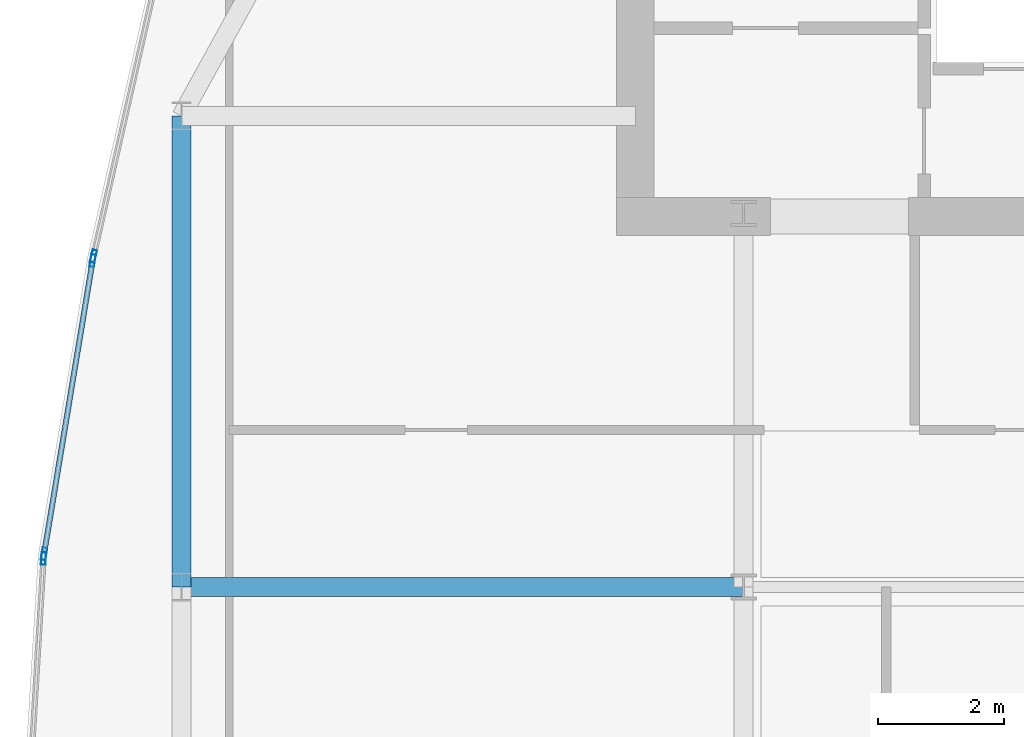
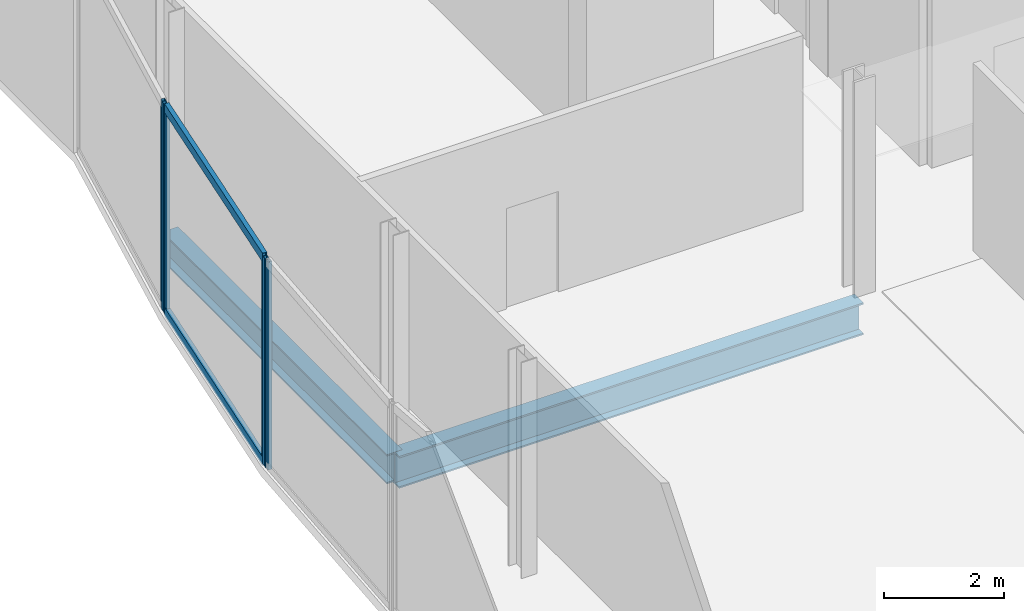
# One storey, part 12 of 28: 6 members, 2 beams, 3 elements without a shape of their own.
"""IFC4 building model written with IfcOpenShell, lengths in metres."""

from ifc_helpers import new_model, si_unit, direction, frame, origin, origin_2d, place, context, subcontext, project, spatial, hollow_rectangle, i_section, extrude, material, material_profile, profile_set, type_object, element, aggregate, save


model = new_model("IFC4")

# Units and contexts
model_context = context("Model", 3, precision=1e-05, world=origin(), true_north=direction((0.0, 1.0)))
body_context = subcontext(model_context, "Body", "Model", "MODEL_VIEW")
ifc_project = project(units=[si_unit("LENGTHUNIT", "METRE"), si_unit("AREAUNIT", "SQUARE_METRE"), si_unit("VOLUMEUNIT", "CUBIC_METRE"), si_unit("PLANEANGLEUNIT", "RADIAN"), si_unit("MASSUNIT", "GRAM", prefix="KILO")], contexts=[model_context])

# Site, building, storey
site_placement = place(None, origin())
site = spatial("IfcSite", under=ifc_project, at=site_placement, CompositionType="ELEMENT")
building_placement = place(site_placement, origin())
building = spatial("IfcBuilding", under=site, at=building_placement, Name="Khoronbel Lancet Exchange", CompositionType="ELEMENT")
storey_placement = place(building_placement, frame((0.0, 0.0, 265.39990234375)))
storey = spatial("IfcBuildingStorey", under=building, at=storey_placement, Name="L68", CompositionType="ELEMENT", Elevation=265.39990234375)

# Beams
ifc_material_1 = material(Name="Steel S355", Category="steel")
ifc_material_profile_1 = material_profile(ifc_material_1, i_section(OverallWidth=0.300048828125, OverallDepth=0.64990234375, WebThickness=0.01611328125, FlangeThickness=0.031005859375, at=origin_2d()), Name="HEB 650")
ifc_profile_set_1 = profile_set([ifc_material_profile_1], Name="Steel S355")
beam_type_1 = type_object("IfcBeamType", Name="BM-BG4", PredefinedType="BEAM", material=ifc_profile_set_1)
beam_1_placement = place(storey_placement, frame((9.27001953125, 35.699951171875, -0.52490234375), z_axis=(1.0, 0.0, 0.0), x_axis=(0.0, 1.0, 0.0)))
element("IfcBeam", 1, at=beam_1_placement, inside=storey, type_object=beam_type_1, Name="Level L68 west lens tie girder LG4W", PredefinedType="BEAM", context=body_context, shape_type="SweptSolid", body=[
    extrude(i_section(OverallWidth=0.300048828125, OverallDepth=0.64990234375, WebThickness=0.01611328125, FlangeThickness=0.031005859375, at=origin_2d()), origin(), (0.0, 0.0, 1.0), 8.955078125),
])
ifc_material_profile_2 = material_profile(ifc_material_1, i_section(OverallWidth=0.300048828125, OverallDepth=0.60009765625, WebThickness=0.015380859375, FlangeThickness=0.030029296875, at=origin_2d()), Name="HEB 600")
ifc_profile_set_2 = profile_set([ifc_material_profile_2], Name="Steel S355")
beam_type_2 = type_object("IfcBeamType", Name="BM-BSP2", PredefinedType="SPANDREL", material=ifc_profile_set_2)
beam_2_placement = place(storey_placement, frame((9.27001953125, 43.199951171875, -0.5), z_axis=(0.0, -1.0, 0.0), x_axis=(1.0, 0.0, 0.0)))
element("IfcBeam", 2, at=beam_2_placement, inside=storey, type_object=beam_type_2, Name="Level L68 perimeter spandrel beam SP17", PredefinedType="SPANDREL", context=body_context, shape_type="SweptSolid", body=[
    extrude(i_section(OverallWidth=0.300048828125, OverallDepth=0.60009765625, WebThickness=0.015380859375, FlangeThickness=0.030029296875, at=origin_2d()), origin(), (0.0, 0.0, 1.0), 7.5),
])

# Curtain wall, member
ifc_material_2 = material(Name="Low-E Solar Control Insulating Glass", Category="glass")
curtain_wall_type = type_object("IfcCurtainWallType", Name="CW-4", PredefinedType="NOTDEFINED", material=ifc_material_2)
curtain_wall_1_placement = place(storey_placement, origin())
curtain_wall_1 = element("IfcCurtainWall", 3, at=curtain_wall_1_placement, inside=storey, type_object=curtain_wall_type, Name="Unitised curtain wall CW-L68-E07", PredefinedType="NOTDEFINED")
ifc_material_3 = material(Name="Bronze-Anodised Aluminium 6063-T6", Category="aluminium")
ifc_material_profile_3 = material_profile(ifc_material_3, hollow_rectangle(XDim=0.074951171875, YDim=0.199951171875, WallThickness=0.0048828125, at=origin_2d()), Name="ALU MULLION 75x200")
ifc_profile_set_3 = profile_set([ifc_material_profile_3], Name="Bronze-Anodised Aluminium 6063-T6")
member_type_1 = type_object("IfcMemberType", Name="MEM-CWM2", PredefinedType="MULLION", material=ifc_profile_set_3)
member_1_placement = place(storey_placement, frame((7.075439453125, 36.152587890625, 0.0), z_axis=(0.0, 0.0, 1.0), x_axis=(-0.998166800745, 0.060523036034, 0.0)))
member_1 = element("IfcMember", 4, at=member_1_placement, type_object=member_type_1, Name="CW4 mullion 2", PredefinedType="MULLION", context=body_context, shape_type="SweptSolid", body=[
    extrude(hollow_rectangle(XDim=0.074951171875, YDim=0.199951171875, WallThickness=0.0048828125, at=origin_2d()), origin(), (0.0, 0.0, 1.0), 4.239990234375),
])
aggregate(curtain_wall_1, [member_1])

# Curtain wall, members
curtain_wall_2_placement = place(storey_placement, origin())
curtain_wall_2 = element("IfcCurtainWall", 5, at=curtain_wall_2_placement, inside=storey, type_object=curtain_wall_type, Name="Unitised curtain wall CW-L68-E08", PredefinedType="NOTDEFINED")
member_2_placement = place(storey_placement, frame((7.083740234375, 36.226806640625, 0.0), z_axis=(0.0, 0.0, 1.0), x_axis=(-0.986550884803, 0.163454433086, 0.0)))
member_2 = element("IfcMember", 6, at=member_2_placement, type_object=member_type_1, Name="CW4 mullion 1", PredefinedType="MULLION", context=body_context, shape_type="SweptSolid", body=[
    extrude(hollow_rectangle(XDim=0.074951171875, YDim=0.199951171875, WallThickness=0.0048828125, at=origin_2d()), origin(), (0.0, 0.0, 1.0), 4.239990234375),
])
member_3_placement = place(storey_placement, frame((7.857177734375, 40.895751953125, 0.0), z_axis=(0.0, 0.0, 1.0), x_axis=(-0.986550884803, 0.163454433086, 0.0)))
member_3 = element("IfcMember", 7, at=member_3_placement, type_object=member_type_1, Name="CW4 mullion 2", PredefinedType="MULLION", context=body_context, shape_type="SweptSolid", body=[
    extrude(hollow_rectangle(XDim=0.074951171875, YDim=0.199951171875, WallThickness=0.0048828125, at=origin_2d()), origin(), (0.0, 0.0, 1.0), 4.239990234375),
])

# Curtain wall, member
curtain_wall_3_placement = place(storey_placement, origin())
curtain_wall_3 = element("IfcCurtainWall", 8, at=curtain_wall_3_placement, inside=storey, type_object=curtain_wall_type, Name="Unitised curtain wall CW-L68-E09", PredefinedType="NOTDEFINED")
member_4_placement = place(storey_placement, frame((7.87158203125, 40.96923828125, 0.0), z_axis=(0.0, 0.0, 1.0), x_axis=(-0.97533545571, 0.220727770874, 0.0)))
member_4 = element("IfcMember", 9, at=member_4_placement, type_object=member_type_1, Name="CW4 mullion 1", PredefinedType="MULLION", context=body_context, shape_type="SweptSolid", body=[
    extrude(hollow_rectangle(XDim=0.074951171875, YDim=0.199951171875, WallThickness=0.0048828125, at=origin_2d()), origin(), (0.0, 0.0, 1.0), 4.239990234375),
])
aggregate(curtain_wall_3, [member_4])

# Member
ifc_material_profile_4 = material_profile(ifc_material_3, hollow_rectangle(XDim=0.0849609375, YDim=0.179931640625, WallThickness=0.0048828125, at=origin_2d()), Name="ALU TRANSOM 85x180")
ifc_profile_set_4 = profile_set([ifc_material_profile_4], Name="Bronze-Anodised Aluminium 6063-T6")
member_type_2 = type_object("IfcMemberType", Name="MEM-CWT1", PredefinedType="USERDEFINED", material=ifc_profile_set_4)
member_5_placement = place(storey_placement, frame((7.08984375, 36.263916015625, 0.04248046875), z_axis=(0.163446842715, 0.986552142366, 0.0), x_axis=(-0.986552142366, 0.163446842715, 0.0)))
member_5 = element("IfcMember", 10, at=member_5_placement, type_object=member_type_2, Name="CW4 transom 1.1", ObjectType="TRANSOM", PredefinedType="USERDEFINED", context=body_context, shape_type="SweptSolid", body=[
    extrude(hollow_rectangle(XDim=0.0849609375, YDim=0.179931640625, WallThickness=0.0048828125, at=origin_2d()), origin(), (0.0, 0.0, 1.0), 4.657470703125),
])

member_6_placement = place(storey_placement, frame((7.08984375, 36.263916015625, 4.197509765625), z_axis=(0.163446842715, 0.986552142366, 0.0), x_axis=(-0.986552142366, 0.163446842715, 0.0)))
member_6 = element("IfcMember", 11, at=member_6_placement, type_object=member_type_2, Name="CW4 transom 1.2", ObjectType="TRANSOM", PredefinedType="USERDEFINED", context=body_context, shape_type="SweptSolid", body=[
    extrude(hollow_rectangle(XDim=0.0849609375, YDim=0.179931640625, WallThickness=0.0048828125, at=origin_2d()), origin(), (0.0, 0.0, 1.0), 4.657470703125),
])

aggregate(curtain_wall_2, [member_2, member_3, member_5, member_6])

save(model, "model.ifc")
